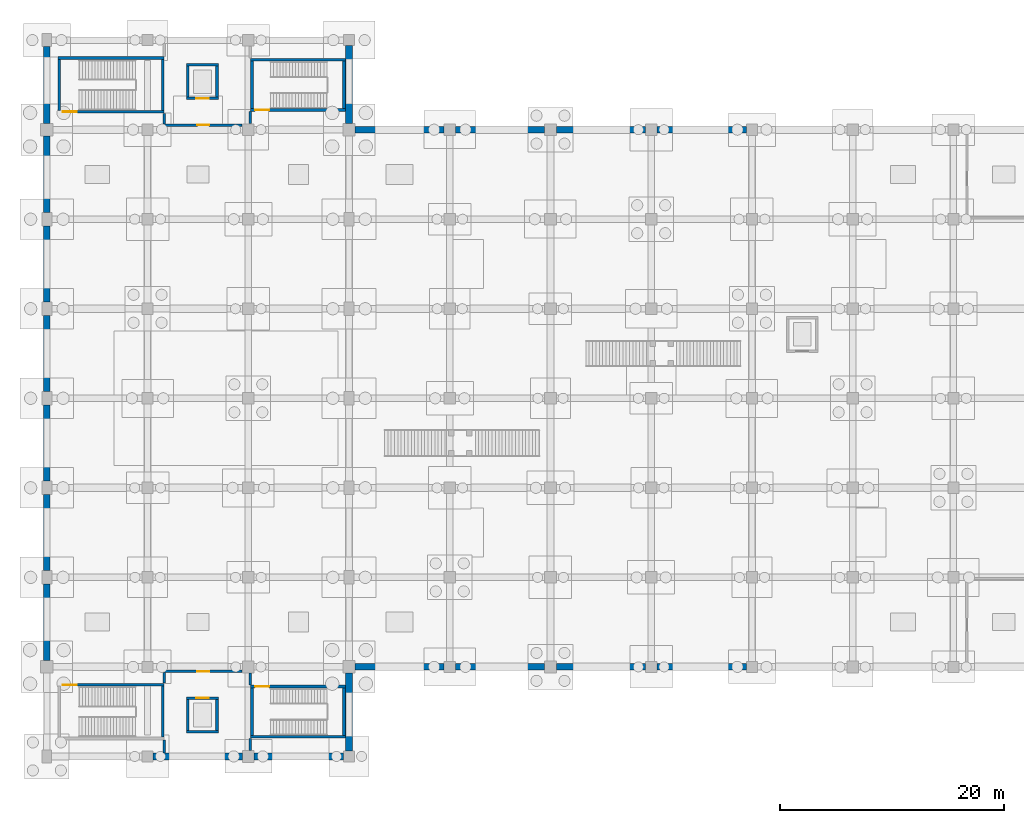
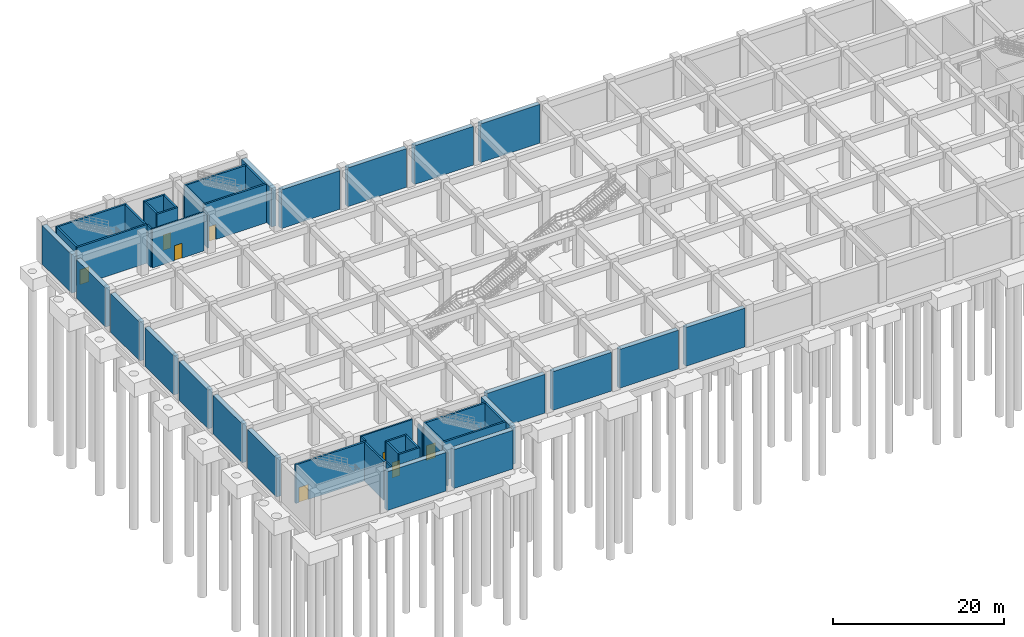
# One storey, part 9 of 18: 49 walls, 8 doors, 8 openings.
"""IFC4 building model written with IfcOpenShell, lengths in metres."""

from ifc_helpers import new_model, si_unit, derived_unit, direction, frame, frame_2d, origin, place, context, subcontext, project, spatial, rectangle, extrude, material, layer, layer_set, type_object, element, fill, save


model = new_model("IFC4")

# Units and contexts
model_context = context("Model", 3, precision=1e-05, world=origin(), true_north=direction((0.0, 1.0)))
body_context = subcontext(model_context, "Body", "Model", "MODEL_VIEW")
ifc_project = project(units=[si_unit("LENGTHUNIT", "METRE"), si_unit("AREAUNIT", "SQUARE_METRE"), si_unit("VOLUMEUNIT", "CUBIC_METRE"), si_unit("PLANEANGLEUNIT", "RADIAN"), si_unit("MASSUNIT", "GRAM", prefix="KILO"), derived_unit("THERMALTRANSMITTANCEUNIT", [(si_unit("MASSUNIT", "GRAM", prefix="KILO"), 1), (si_unit("TIMEUNIT", "SECOND"), -3), (si_unit("THERMODYNAMICTEMPERATUREUNIT", "KELVIN"), -1)])], contexts=[model_context])

# Site, building, storey
site_placement = place(None, origin())
site = spatial("IfcSite", under=ifc_project, at=site_placement, CompositionType="ELEMENT")
building_placement = place(site_placement, origin())
building = spatial("IfcBuilding", under=site, at=building_placement, Name="Zhenchuan Archway Interchange", CompositionType="ELEMENT")
storey_placement = place(building_placement, frame((0.0, 0.0, -12.0)))
storey = spatial("IfcBuildingStorey", under=building, at=storey_placement, Name="B2", CompositionType="ELEMENT", Elevation=-12.0)

# Walls
ifc_material_1 = material(Name="Concrete C40", Category="concrete")
ifc_layer_1 = layer(ifc_material_1, 0.60009765625)
ifc_layer_set_1 = layer_set([ifc_layer_1], Name="Concrete C40")
wall_type_1 = type_object("IfcWallType", Name="EW_DIAPH_600", PredefinedType="STANDARD", material=ifc_layer_set_1)
wall_1_placement = place(storey_placement, frame((36.0, 32.548095703125, 0.0), z_axis=(0.0, 0.0, 1.0), x_axis=(0.0, 1.0, 0.0)))
element("IfcWall", 1, at=wall_1_placement, inside=storey, type_object=wall_type_1, Name="Basement diaphragm wall B2-001", PredefinedType="STANDARD", context=body_context, shape_type="SweptSolid", body=[
    extrude(rectangle(XDim=6.85400390625, YDim=0.60009765625, at=frame_2d((3.427001953125, 0.0))), origin(), (0.0, 0.0, 1.0), 5.5400390625),
])
for number, where, z_axis, x_axis, name in (
    (2, (36.0, 40.597900390625, 0.0), (0.0, 0.0, 1.0), (0.0, 1.0, 0.0), "Basement diaphragm wall B2-002"),
    (3, (36.0, 48.597900390625, 0.0), (0.0, 0.0, 1.0), (0.0, 1.0, 0.0), "Basement diaphragm wall B2-003"),
    (4, (36.0, 56.597900390625, 0.0), (0.0, 0.0, 1.0), (0.0, 1.0, 0.0), "Basement diaphragm wall B2-004"),
    (5, (36.0, 64.597900390625, 0.0), (0.0, 0.0, 1.0), (0.0, 1.0, 0.0), "Basement diaphragm wall B2-005"),
):
    element("IfcWall", number, at=place(storey_placement, frame(where, z_axis=z_axis, x_axis=x_axis)), inside=storey, type_object=wall_type_1, Name=name, PredefinedType="STANDARD", context=body_context, shape_type="SweptSolid", body=[
        extrude(rectangle(XDim=6.80419921875, YDim=0.60009765625, at=frame_2d((3.402099609375, 0.0))), origin(), (0.0, 0.0, 1.0), 5.5400390625),
    ])
wall_2_placement = place(storey_placement, frame((36.0, 72.597900390625, 0.0), z_axis=(0.0, 0.0, 1.0), x_axis=(0.0, 1.0, 0.0)))
element("IfcWall", 6, at=wall_2_placement, inside=storey, type_object=wall_type_1, Name="Basement diaphragm wall B2-006", PredefinedType="STANDARD", context=body_context, shape_type="SweptSolid", body=[
    extrude(rectangle(XDim=6.85400390625, YDim=0.60009765625, at=frame_2d((3.427001953125, 0.0))), origin(), (0.0, 0.0, 1.0), 5.5400390625),
])
wall_3_placement = place(storey_placement, frame((36.0, 80.548095703125, 0.0), z_axis=(0.0, 0.0, 1.0), x_axis=(0.0, 1.0, 0.0)))
element("IfcWall", 7, at=wall_3_placement, inside=storey, type_object=wall_type_1, Name="Basement diaphragm wall B2-007", PredefinedType="STANDARD", context=body_context, shape_type="SweptSolid", body=[
    extrude(rectangle(XDim=6.87890625, YDim=0.60009765625, at=frame_2d((3.439453125, 0.0))), origin(), (0.0, 0.0, 1.0), 5.5400390625),
])
wall_4_placement = place(storey_placement, frame((63.0, 87.501953125, 0.0), z_axis=(0.0, 0.0, 1.0), x_axis=(0.0, -1.0, 0.0)))
element("IfcWall", 8, at=wall_4_placement, inside=storey, type_object=wall_type_1, Name="Basement diaphragm wall B2-011", PredefinedType="STANDARD", context=body_context, shape_type="SweptSolid", body=[
    extrude(rectangle(XDim=6.953857421875, YDim=0.60009765625, at=frame_2d((3.47705078125, 0.0))), origin(), (0.0, 0.0, 1.0), 5.5400390625),
])
wall_5_placement = place(storey_placement, frame((63.548095703125, 80.0, 0.0), z_axis=(0.0, 0.0, 1.0), x_axis=(1.0, 0.0, 0.0)))
element("IfcWall", 9, at=wall_5_placement, inside=storey, type_object=wall_type_1, Name="Basement diaphragm wall B2-012", PredefinedType="STANDARD", context=body_context, shape_type="SweptSolid", body=[
    extrude(rectangle(XDim=7.953857421875, YDim=0.60009765625, at=frame_2d((3.97705078125, 0.0))), origin(), (0.0, 0.0, 1.0), 5.5400390625),
])
for number, where, z_axis, x_axis, name in (
    (10, (72.498046875, 80.0, 0.0), (0.0, 0.0, 1.0), (1.0, 0.0, 0.0), "Basement diaphragm wall B2-013"),
    (11, (81.52294921875, 80.0, 0.0), (0.0, 0.0, 1.0), (1.0, 0.0, 0.0), "Basement diaphragm wall B2-014"),
):
    element("IfcWall", number, at=place(storey_placement, frame(where, z_axis=z_axis, x_axis=x_axis)), inside=storey, type_object=wall_type_1, Name=name, PredefinedType="STANDARD", context=body_context, shape_type="SweptSolid", body=[
        extrude(rectangle(XDim=7.97900390625, YDim=0.60009765625, at=frame_2d((3.989501953125, 0.0))), origin(), (0.0, 0.0, 1.0), 5.5400390625),
    ])
for number, where, z_axis, x_axis, name in (
    (12, (90.498046875, 80.0, 0.0), (0.0, 0.0, 1.0), (1.0, 0.0, 0.0), "Basement diaphragm wall B2-015"),
    (13, (98.501953125, 32.0, 0.0), (0.0, 0.0, 1.0), (-1.0, 0.0, 0.0), "Basement diaphragm wall B2-038"),
):
    element("IfcWall", number, at=place(storey_placement, frame(where, z_axis=z_axis, x_axis=x_axis)), inside=storey, type_object=wall_type_1, Name=name, PredefinedType="STANDARD", context=body_context, shape_type="SweptSolid", body=[
        extrude(rectangle(XDim=8.00390625, YDim=0.60009765625, at=frame_2d((4.001953125, 0.0))), origin(), (0.0, 0.0, 1.0), 5.5400390625),
    ])
for number, where, z_axis, x_axis, name in (
    (14, (89.501953125, 32.0, 0.0), (0.0, 0.0, 1.0), (-1.0, 0.0, 0.0), "Basement diaphragm wall B2-039"),
    (15, (80.47705078125, 32.0, 0.0), (0.0, 0.0, 1.0), (-1.0, 0.0, 0.0), "Basement diaphragm wall B2-040"),
):
    element("IfcWall", number, at=place(storey_placement, frame(where, z_axis=z_axis, x_axis=x_axis)), inside=storey, type_object=wall_type_1, Name=name, PredefinedType="STANDARD", context=body_context, shape_type="SweptSolid", body=[
        extrude(rectangle(XDim=7.97900390625, YDim=0.60009765625, at=frame_2d((3.989501953125, 0.0))), origin(), (0.0, 0.0, 1.0), 5.5400390625),
    ])
wall_6_placement = place(storey_placement, frame((71.501953125, 32.0, 0.0), z_axis=(0.0, 0.0, 1.0), x_axis=(-1.0, 0.0, 0.0)))
element("IfcWall", 16, at=wall_6_placement, inside=storey, type_object=wall_type_1, Name="Basement diaphragm wall B2-041", PredefinedType="STANDARD", context=body_context, shape_type="SweptSolid", body=[
    extrude(rectangle(XDim=7.953857421875, YDim=0.60009765625, at=frame_2d((3.97705078125, 0.0))), origin(), (0.0, 0.0, 1.0), 5.5400390625),
])
wall_7_placement = place(storey_placement, frame((63.0, 31.451904296875, 0.0), z_axis=(0.0, 0.0, 1.0), x_axis=(0.0, -1.0, 0.0)))
element("IfcWall", 17, at=wall_7_placement, inside=storey, type_object=wall_type_1, Name="Basement diaphragm wall B2-042", PredefinedType="STANDARD", context=body_context, shape_type="SweptSolid", body=[
    extrude(rectangle(XDim=6.953857421875, YDim=0.60009765625, at=frame_2d((3.47705078125, 0.0))), origin(), (0.0, 0.0, 1.0), 5.5400390625),
])
for number, where, z_axis, x_axis, name in (
    (18, (62.501953125, 24.0, 0.0), (0.0, 0.0, 1.0), (-1.0, 0.0, 0.0), "Basement diaphragm wall B2-043"),
    (19, (53.47705078125, 24.0, 0.0), (0.0, 0.0, 1.0), (-1.0, 0.0, 0.0), "Basement diaphragm wall B2-044"),
):
    element("IfcWall", number, at=place(storey_placement, frame(where, z_axis=z_axis, x_axis=x_axis)), inside=storey, type_object=wall_type_1, Name=name, PredefinedType="STANDARD", context=body_context, shape_type="SweptSolid", body=[
        extrude(rectangle(XDim=7.97900390625, YDim=0.60009765625, at=frame_2d((3.989501953125, 0.0))), origin(), (0.0, 0.0, 1.0), 5.5400390625),
    ])

# Wall, opening, door
ifc_material_2 = material(Name="Autoclaved Aerated Concrete Block", Category="concrete")
ifc_layer_2 = layer(ifc_material_2, 0.199951171875)
ifc_layer_set_2 = layer_set([ifc_layer_2], Name="Autoclaved Aerated Concrete Block")
wall_type_2 = type_object("IfcWallType", Name="WL_FIRE_200", PredefinedType="STANDARD", material=ifc_layer_set_2)
wall_8_placement = place(storey_placement, frame((46.489990234375, 31.60009765625, 0.0), z_axis=(0.0, 0.0, 1.0), x_axis=(1.0, 0.0, 0.0)))
wall_8 = element("IfcWall", 20, at=wall_8_placement, inside=storey, type_object=wall_type_2, Name="South Tunnel Ventilation Plant Room N partition (B2)", PredefinedType="STANDARD", context=body_context, shape_type="SweptSolid", body=[
    extrude(rectangle(XDim=6.9599609375, YDim=0.199951171875, at=frame_2d((3.47998046875, 0.0))), origin(), (0.0, 0.0, 1.0), 5.530029296875),
])
opening_1_placement = place(wall_8_placement, frame((2.955078125, 0.0, 0.0)))
opening_1 = element("IfcOpeningElement", 21, at=opening_1_placement, cuts=wall_8, Name="Opening FD-03", PredefinedType="OPENING", context=body_context, shape_type="SweptSolid", body=[
    extrude(rectangle(XDim=1.050048828125, YDim=2.14990234375, at=frame_2d((0.52490234375, 1.074951171875))), frame((0.0, 0.11181640625, 0.0), z_axis=(0.0, -1.0, 0.0), x_axis=(1.0, 0.0, 0.0)), (0.0, 0.0, 1.0), 0.223876953125),
])
ifc_material_3 = material(Name="Painted Galvanised Steel", Category="steel")
door_type_1 = type_object("IfcDoorType", Name="DR_PLANT_FD60_S", OperationType="NOTDEFINED", PredefinedType="DOOR", material=ifc_material_3)
door_1_placement = place(opening_1_placement, origin())
door_1 = element("IfcDoor", 22, at=door_1_placement, inside=storey, type_object=door_type_1, Name="South Tunnel Ventilation Plant Room door (B2)", OperationType="SINGLE_SWING_RIGHT", OverallHeight=2.14990234375, OverallWidth=1.050048828125, PredefinedType="DOOR", context=body_context, shape_type="SweptSolid", body=[
    extrude(rectangle(XDim=1.050048828125, YDim=2.14990234375, at=frame_2d((0.52490234375, 1.074951171875))), frame((0.0, 0.02490234375, 0.0), z_axis=(0.0, -1.0, 0.0), x_axis=(1.0, 0.0, 0.0)), (0.0, 0.0, 1.0), 0.050048828125),
])
fill(opening_1, door_1)

# Walls
wall_9_placement = place(storey_placement, frame((46.489990234375, 24.31005859375, 0.0), z_axis=(0.0, 0.0, 1.0), x_axis=(0.0, 1.0, 0.0)))
element("IfcWall", 23, at=wall_9_placement, inside=storey, type_object=wall_type_2, Name="South Tunnel Ventilation Plant Room W partition (B2)", PredefinedType="STANDARD", context=body_context, shape_type="SweptSolid", body=[
    extrude(rectangle(XDim=1.14501953125, YDim=0.199951171875, at=frame_2d((0.572509765625, 0.0))), origin(), (0.0, 0.0, 1.0), 5.530029296875),
])
wall_10_placement = place(storey_placement, frame((46.489990234375, 30.544921875, 0.0), z_axis=(0.0, 0.0, 1.0), x_axis=(0.0, 1.0, 0.0)))
element("IfcWall", 24, at=wall_10_placement, inside=storey, type_object=wall_type_2, Name="South Tunnel Ventilation Plant Room W partition (B2)", PredefinedType="STANDARD", context=body_context, shape_type="SweptSolid", body=[
    extrude(rectangle(XDim=0.945068359375, YDim=0.199951171875, at=frame_2d((0.47265625, 0.0))), origin(), (0.0, 0.0, 1.0), 5.530029296875),
])
for number, where, z_axis, x_axis, name in (
    (25, (54.179931640625, 24.550048828125, 0.0), (0.0, 0.0, 1.0), (0.0, 1.0, 0.0), "South Tunnel Ventilation Plant Room E partition (B2)"),
    (26, (54.179931640625, 30.39501953125, 0.0), (0.0, 0.0, 1.0), (0.0, 1.0, 0.0), "South Tunnel Ventilation Plant Room E partition (B2)"),
):
    element("IfcWall", number, at=place(storey_placement, frame(where, z_axis=z_axis, x_axis=x_axis)), inside=storey, type_object=wall_type_2, Name=name, PredefinedType="STANDARD", context=body_context, shape_type="SweptSolid", body=[
        extrude(rectangle(XDim=1.054931640625, YDim=0.199951171875, at=frame_2d((0.52734375, 0.0))), origin(), (0.0, 0.0, 1.0), 4.7099609375),
    ])

# Wall, opening, door
wall_11_placement = place(storey_placement, frame((46.489990234375, 80.39990234375, 0.0), z_axis=(0.0, 0.0, 1.0), x_axis=(1.0, 0.0, 0.0)))
wall_11 = element("IfcWall", 27, at=wall_11_placement, inside=storey, type_object=wall_type_2, Name="North Tunnel Ventilation Plant Room S partition (B2)", PredefinedType="STANDARD", context=body_context, shape_type="SweptSolid", body=[
    extrude(rectangle(XDim=6.9599609375, YDim=0.199951171875, at=frame_2d((3.47998046875, 0.0))), origin(), (0.0, 0.0, 1.0), 5.530029296875),
])
opening_2_placement = place(wall_11_placement, frame((2.955078125, 0.0, 0.0)))
opening_2 = element("IfcOpeningElement", 28, at=opening_2_placement, cuts=wall_11, Name="Opening FD-03", PredefinedType="OPENING", context=body_context, shape_type="SweptSolid", body=[
    extrude(rectangle(XDim=1.050048828125, YDim=2.14990234375, at=frame_2d((0.52490234375, 1.074951171875))), frame((0.0, 0.11181640625, 0.0), z_axis=(0.0, -1.0, 0.0), x_axis=(1.0, 0.0, 0.0)), (0.0, 0.0, 1.0), 0.223876953125),
])
door_2_placement = place(opening_2_placement, origin())
door_2 = element("IfcDoor", 29, at=door_2_placement, inside=storey, type_object=door_type_1, Name="North Tunnel Ventilation Plant Room door (B2)", OperationType="SINGLE_SWING_LEFT", OverallHeight=2.14990234375, OverallWidth=1.050048828125, PredefinedType="DOOR", context=body_context, shape_type="SweptSolid", body=[
    extrude(rectangle(XDim=1.050048828125, YDim=2.14990234375, at=frame_2d((0.52490234375, 1.074951171875))), frame((0.0, 0.02490234375, 0.0), z_axis=(0.0, -1.0, 0.0), x_axis=(1.0, 0.0, 0.0)), (0.0, 0.0, 1.0), 0.050048828125),
])
fill(opening_2, door_2)

# Walls
wall_12_placement = place(storey_placement, frame((46.489990234375, 80.510009765625, 0.0), z_axis=(0.0, 0.0, 1.0), x_axis=(0.0, 1.0, 0.0)))
element("IfcWall", 30, at=wall_12_placement, inside=storey, type_object=wall_type_2, Name="North Tunnel Ventilation Plant Room W partition (B2)", PredefinedType="STANDARD", context=body_context, shape_type="SweptSolid", body=[
    extrude(rectangle(XDim=0.945068359375, YDim=0.199951171875, at=frame_2d((0.47265625, 0.0))), origin(), (0.0, 0.0, 1.0), 5.530029296875),
])
wall_13_placement = place(storey_placement, frame((54.179931640625, 80.550048828125, 0.0), z_axis=(0.0, 0.0, 1.0), x_axis=(0.0, 1.0, 0.0)))
element("IfcWall", 31, at=wall_13_placement, inside=storey, type_object=wall_type_2, Name="North Tunnel Ventilation Plant Room E partition (B2)", PredefinedType="STANDARD", context=body_context, shape_type="SweptSolid", body=[
    extrude(rectangle(XDim=1.054931640625, YDim=0.199951171875, at=frame_2d((0.52734375, 0.0))), origin(), (0.0, 0.0, 1.0), 4.7099609375),
])
ifc_layer_3 = layer(ifc_material_1, 0.239990234375)
ifc_layer_set_3 = layer_set([ifc_layer_3], Name="Concrete C40")
wall_type_3 = type_object("IfcWallType", Name="WL_LIFT_240", PredefinedType="SHEAR", material=ifc_layer_set_3)
wall_14_placement = place(storey_placement, frame((48.47998046875, 26.199951171875, 0.0), z_axis=(0.0, 0.0, 1.0), x_axis=(1.0, 0.0, 0.0)))
element("IfcWall", 32, at=wall_14_placement, inside=storey, type_object=wall_type_3, Name="Lift LF-01 south shaft wall (B2)", PredefinedType="SHEAR", context=body_context, shape_type="SweptSolid", body=[
    extrude(rectangle(XDim=2.840087890625, YDim=0.239990234375, at=frame_2d((1.419921875, 0.0))), origin(), (0.0, 0.0, 1.0), 5.530029296875),
])

# Wall, opening, door
wall_15_placement = place(storey_placement, frame((51.320068359375, 29.199951171875, 0.0), z_axis=(0.0, 0.0, 1.0), x_axis=(-1.0, 0.0, 0.0)))
wall_15 = element("IfcWall", 33, at=wall_15_placement, inside=storey, type_object=wall_type_3, Name="Lift LF-01 north shaft wall (B2)", PredefinedType="SHEAR", context=body_context, shape_type="SweptSolid", body=[
    extrude(rectangle(XDim=2.840087890625, YDim=0.239990234375, at=frame_2d((1.419921875, 0.0))), origin(), (0.0, 0.0, 1.0), 5.530029296875),
])
opening_3_placement = place(wall_15_placement, frame((0.8701171875, 0.0, 0.0)))
opening_3 = element("IfcOpeningElement", 34, at=opening_3_placement, cuts=wall_15, Name="Opening LD-01", PredefinedType="OPENING", context=body_context, shape_type="SweptSolid", body=[
    extrude(rectangle(XDim=1.10009765625, YDim=2.199951171875, at=frame_2d((0.550048828125, 1.10009765625))), frame((0.0, 0.1318359375, 0.0), z_axis=(0.0, -1.0, 0.0), x_axis=(1.0, 0.0, 0.0)), (0.0, 0.0, 1.0), 0.263916015625),
])
ifc_material_4 = material(Name="Stainless Steel 304", Category="steel")
door_type_2 = type_object("IfcDoorType", Name="DR_LIFT_LD110", OperationType="DOUBLE_DOOR_SLIDING", PredefinedType="DOOR", material=ifc_material_4)
door_3_placement = place(opening_3_placement, origin())
door_3 = element("IfcDoor", 35, at=door_3_placement, inside=storey, type_object=door_type_2, Name="Lift LF-01 landing door (B2)", OperationType="DOUBLE_DOOR_SLIDING", OverallHeight=2.199951171875, OverallWidth=1.10009765625, PredefinedType="DOOR", context=body_context, shape_type="SweptSolid", body=[
    extrude(rectangle(XDim=1.10009765625, YDim=2.199951171875, at=frame_2d((0.550048828125, 1.10009765625))), frame((0.0, 0.02490234375, 0.0), z_axis=(0.0, -1.0, 0.0), x_axis=(1.0, 0.0, 0.0)), (0.0, 0.0, 1.0), 0.050048828125),
])
fill(opening_3, door_3)

# Walls
for number, where, z_axis, x_axis, name in (
    (36, (48.60009765625, 29.080078125, 0.0), (0.0, 0.0, 1.0), (0.0, -1.0, 0.0), "Lift LF-01 west shaft wall (B2)"),
    (37, (51.199951171875, 26.320068359375, 0.0), (0.0, 0.0, 1.0), (0.0, 1.0, 0.0), "Lift LF-01 east shaft wall (B2)"),
):
    element("IfcWall", number, at=place(storey_placement, frame(where, z_axis=z_axis, x_axis=x_axis)), inside=storey, type_object=wall_type_3, Name=name, PredefinedType="SHEAR", context=body_context, shape_type="SweptSolid", body=[
        extrude(rectangle(XDim=2.760009765625, YDim=0.239990234375, at=frame_2d((1.3798828125, 0.0))), origin(), (0.0, 0.0, 1.0), 5.530029296875),
    ])

# Wall, opening, door
wall_16_placement = place(storey_placement, frame((48.47998046875, 82.800048828125, 0.0), z_axis=(0.0, 0.0, 1.0), x_axis=(1.0, 0.0, 0.0)))
wall_16 = element("IfcWall", 38, at=wall_16_placement, inside=storey, type_object=wall_type_3, Name="Lift LF-02 south shaft wall (B2)", PredefinedType="SHEAR", context=body_context, shape_type="SweptSolid", body=[
    extrude(rectangle(XDim=2.840087890625, YDim=0.239990234375, at=frame_2d((1.419921875, 0.0))), origin(), (0.0, 0.0, 1.0), 5.530029296875),
])
opening_4_placement = place(wall_16_placement, frame((0.8701171875, 0.0, 0.0)))
opening_4 = element("IfcOpeningElement", 39, at=opening_4_placement, cuts=wall_16, Name="Opening LD-01", PredefinedType="OPENING", context=body_context, shape_type="SweptSolid", body=[
    extrude(rectangle(XDim=1.10009765625, YDim=2.199951171875, at=frame_2d((0.550048828125, 1.10009765625))), frame((0.0, 0.1318359375, 0.0), z_axis=(0.0, -1.0, 0.0), x_axis=(1.0, 0.0, 0.0)), (0.0, 0.0, 1.0), 0.263916015625),
])
door_4_placement = place(opening_4_placement, origin())
door_4 = element("IfcDoor", 40, at=door_4_placement, inside=storey, type_object=door_type_2, Name="Lift LF-02 landing door (B2)", OperationType="DOUBLE_DOOR_SLIDING", OverallHeight=2.199951171875, OverallWidth=1.10009765625, PredefinedType="DOOR", context=body_context, shape_type="SweptSolid", body=[
    extrude(rectangle(XDim=1.10009765625, YDim=2.199951171875, at=frame_2d((0.550048828125, 1.10009765625))), frame((0.0, 0.02490234375, 0.0), z_axis=(0.0, -1.0, 0.0), x_axis=(1.0, 0.0, 0.0)), (0.0, 0.0, 1.0), 0.050048828125),
])
fill(opening_4, door_4)

# Walls
wall_17_placement = place(storey_placement, frame((51.320068359375, 85.800048828125, 0.0), z_axis=(0.0, 0.0, 1.0), x_axis=(-1.0, 0.0, 0.0)))
element("IfcWall", 41, at=wall_17_placement, inside=storey, type_object=wall_type_3, Name="Lift LF-02 north shaft wall (B2)", PredefinedType="SHEAR", context=body_context, shape_type="SweptSolid", body=[
    extrude(rectangle(XDim=2.840087890625, YDim=0.239990234375, at=frame_2d((1.419921875, 0.0))), origin(), (0.0, 0.0, 1.0), 5.530029296875),
])
for number, where, z_axis, x_axis, name in (
    (42, (48.60009765625, 85.679931640625, 0.0), (0.0, 0.0, 1.0), (0.0, -1.0, 0.0), "Lift LF-02 west shaft wall (B2)"),
    (43, (51.199951171875, 82.919921875, 0.0), (0.0, 0.0, 1.0), (0.0, 1.0, 0.0), "Lift LF-02 east shaft wall (B2)"),
):
    element("IfcWall", number, at=place(storey_placement, frame(where, z_axis=z_axis, x_axis=x_axis)), inside=storey, type_object=wall_type_3, Name=name, PredefinedType="SHEAR", context=body_context, shape_type="SweptSolid", body=[
        extrude(rectangle(XDim=2.760009765625, YDim=0.239990234375, at=frame_2d((1.3798828125, 0.0))), origin(), (0.0, 0.0, 1.0), 5.530029296875),
    ])

# Wall, opening, door
ifc_layer_4 = layer(ifc_material_1, 0.25)
ifc_layer_set_4 = layer_set([ifc_layer_4], Name="Concrete C40")
wall_type_4 = type_object("IfcWallType", Name="WL_STAIR_250", PredefinedType="SHEAR", material=ifc_layer_set_4)
wall_18_placement = place(storey_placement, frame((46.47509765625, 30.39990234375, 0.0), z_axis=(0.0, 0.0, 1.0), x_axis=(-1.0, 0.0, 0.0)))
wall_18 = element("IfcWall", 44, at=wall_18_placement, inside=storey, type_object=wall_type_4, Name="Stair ST-M1 north wall (B2)", PredefinedType="SHEAR", context=body_context, shape_type="SweptSolid", body=[
    extrude(rectangle(XDim=9.5, YDim=0.25, at=frame_2d((4.75, 0.0))), origin(), (0.0, 0.0, 1.0), 5.530029296875),
])
opening_5_placement = place(wall_18_placement, frame((7.804931640625, 0.0, 0.0)))
opening_5 = element("IfcOpeningElement", 45, at=opening_5_placement, cuts=wall_18, Name="Opening FD-01", PredefinedType="OPENING", context=body_context, shape_type="SweptSolid", body=[
    extrude(rectangle(XDim=1.25, YDim=2.14990234375, at=frame_2d((0.625, 1.074951171875))), frame((0.0, 0.136962890625, 0.0), z_axis=(0.0, -1.0, 0.0), x_axis=(1.0, 0.0, 0.0)), (0.0, 0.0, 1.0), 0.27392578125),
])
door_type_3 = type_object("IfcDoorType", Name="DR_STAIR_FD90", OperationType="NOTDEFINED", PredefinedType="DOOR", material=ifc_material_3)
door_5_placement = place(opening_5_placement, origin())
door_5 = element("IfcDoor", 46, at=door_5_placement, inside=storey, type_object=door_type_3, Name="Stair ST-M1 fire door (B2)", OperationType="SINGLE_SWING_LEFT", OverallHeight=2.14990234375, OverallWidth=1.25, PredefinedType="DOOR", context=body_context, shape_type="SweptSolid", body=[
    extrude(rectangle(XDim=1.25, YDim=2.14990234375, at=frame_2d((0.625, 1.074951171875))), frame((0.0, 0.02490234375, 0.0), z_axis=(0.0, -1.0, 0.0), x_axis=(1.0, 0.0, 0.0)), (0.0, 0.0, 1.0), 0.050048828125),
])
fill(opening_5, door_5)

# Wall
wall_19_placement = place(storey_placement, frame((46.35009765625, 25.72509765625, 0.0), z_axis=(0.0, 0.0, 1.0), x_axis=(0.0, 1.0, 0.0)))
element("IfcWall", 47, at=wall_19_placement, inside=storey, type_object=wall_type_4, Name="Stair ST-M1 east wall (B2)", PredefinedType="SHEAR", context=body_context, shape_type="SweptSolid", body=[
    extrude(rectangle(XDim=4.5498046875, YDim=0.25, at=frame_2d((2.27490234375, 0.0))), origin(), (0.0, 0.0, 1.0), 5.530029296875),
])

# Wall, opening, door
wall_20_placement = place(storey_placement, frame((36.97509765625, 81.60009765625, 0.0), z_axis=(0.0, 0.0, 1.0), x_axis=(1.0, 0.0, 0.0)))
wall_20 = element("IfcWall", 48, at=wall_20_placement, inside=storey, type_object=wall_type_4, Name="Stair ST-M2 south wall (B2)", PredefinedType="SHEAR", context=body_context, shape_type="SweptSolid", body=[
    extrude(rectangle(XDim=9.5, YDim=0.25, at=frame_2d((4.75, 0.0))), origin(), (0.0, 0.0, 1.0), 5.530029296875),
])
opening_6_placement = place(wall_20_placement, frame((0.445068359375, 0.0, 0.0)))
opening_6 = element("IfcOpeningElement", 49, at=opening_6_placement, cuts=wall_20, Name="Opening FD-01", PredefinedType="OPENING", context=body_context, shape_type="SweptSolid", body=[
    extrude(rectangle(XDim=1.25, YDim=2.14990234375, at=frame_2d((0.625, 1.074951171875))), frame((0.0, 0.136962890625, 0.0), z_axis=(0.0, -1.0, 0.0), x_axis=(1.0, 0.0, 0.0)), (0.0, 0.0, 1.0), 0.27392578125),
])
door_6_placement = place(opening_6_placement, origin())
door_6 = element("IfcDoor", 50, at=door_6_placement, inside=storey, type_object=door_type_3, Name="Stair ST-M2 fire door (B2)", OperationType="SINGLE_SWING_RIGHT", OverallHeight=2.14990234375, OverallWidth=1.25, PredefinedType="DOOR", context=body_context, shape_type="SweptSolid", body=[
    extrude(rectangle(XDim=1.25, YDim=2.14990234375, at=frame_2d((0.625, 1.074951171875))), frame((0.0, 0.02490234375, 0.0), z_axis=(0.0, -1.0, 0.0), x_axis=(1.0, 0.0, 0.0)), (0.0, 0.0, 1.0), 0.050048828125),
])
fill(opening_6, door_6)

# Walls
wall_21_placement = place(storey_placement, frame((46.47509765625, 86.39990234375, 0.0), z_axis=(0.0, 0.0, 1.0), x_axis=(-1.0, 0.0, 0.0)))
element("IfcWall", 51, at=wall_21_placement, inside=storey, type_object=wall_type_4, Name="Stair ST-M2 north wall (B2)", PredefinedType="SHEAR", context=body_context, shape_type="SweptSolid", body=[
    extrude(rectangle(XDim=9.5, YDim=0.25, at=frame_2d((4.75, 0.0))), origin(), (0.0, 0.0, 1.0), 5.530029296875),
])
for number, where, z_axis, x_axis, name in (
    (52, (37.10009765625, 86.27490234375, 0.0), (0.0, 0.0, 1.0), (0.0, -1.0, 0.0), "Stair ST-M2 west wall (B2)"),
    (53, (46.35009765625, 81.72509765625, 0.0), (0.0, 0.0, 1.0), (0.0, 1.0, 0.0), "Stair ST-M2 east wall (B2)"),
):
    element("IfcWall", number, at=place(storey_placement, frame(where, z_axis=z_axis, x_axis=x_axis)), inside=storey, type_object=wall_type_4, Name=name, PredefinedType="SHEAR", context=body_context, shape_type="SweptSolid", body=[
        extrude(rectangle(XDim=4.5498046875, YDim=0.25, at=frame_2d((2.27490234375, 0.0))), origin(), (0.0, 0.0, 1.0), 5.530029296875),
    ])
wall_22_placement = place(storey_placement, frame((54.195068359375, 25.75, 0.0), z_axis=(0.0, 0.0, 1.0), x_axis=(1.0, 0.0, 0.0)))
element("IfcWall", 54, at=wall_22_placement, inside=storey, type_object=wall_type_4, Name="Stair ST-M3 south wall (B2)", PredefinedType="SHEAR", context=body_context, shape_type="SweptSolid", body=[
    extrude(rectangle(XDim=8.489990234375, YDim=0.25, at=frame_2d((4.2451171875, 0.0))), origin(), (0.0, 0.0, 1.0), 5.530029296875),
])

# Wall, opening, door
wall_23_placement = place(storey_placement, frame((62.68505859375, 30.25, 0.0), z_axis=(0.0, 0.0, 1.0), x_axis=(-1.0, 0.0, 0.0)))
wall_23 = element("IfcWall", 55, at=wall_23_placement, inside=storey, type_object=wall_type_4, Name="Stair ST-M3 north wall (B2)", PredefinedType="SHEAR", context=body_context, shape_type="SweptSolid", body=[
    extrude(rectangle(XDim=8.489990234375, YDim=0.25, at=frame_2d((4.2451171875, 0.0))), origin(), (0.0, 0.0, 1.0), 5.530029296875),
])
opening_7_placement = place(wall_23_placement, frame((6.8349609375, 0.0, 0.0)))
opening_7 = element("IfcOpeningElement", 56, at=opening_7_placement, cuts=wall_23, Name="Opening FD-01", PredefinedType="OPENING", context=body_context, shape_type="SweptSolid", body=[
    extrude(rectangle(XDim=1.25, YDim=2.14990234375, at=frame_2d((0.625, 1.074951171875))), frame((0.0, 0.136962890625, 0.0), z_axis=(0.0, -1.0, 0.0), x_axis=(1.0, 0.0, 0.0)), (0.0, 0.0, 1.0), 0.27392578125),
])
door_7_placement = place(opening_7_placement, origin())
door_7 = element("IfcDoor", 57, at=door_7_placement, inside=storey, type_object=door_type_3, Name="Stair ST-M3 fire door (B2)", OperationType="SINGLE_SWING_LEFT", OverallHeight=2.14990234375, OverallWidth=1.25, PredefinedType="DOOR", context=body_context, shape_type="SweptSolid", body=[
    extrude(rectangle(XDim=1.25, YDim=2.14990234375, at=frame_2d((0.625, 1.074951171875))), frame((0.0, 0.02490234375, 0.0), z_axis=(0.0, -1.0, 0.0), x_axis=(1.0, 0.0, 0.0)), (0.0, 0.0, 1.0), 0.050048828125),
])
fill(opening_7, door_7)

# Walls
for number, where, z_axis, x_axis, name in (
    (58, (54.320068359375, 30.125, 0.0), (0.0, 0.0, 1.0), (0.0, -1.0, 0.0), "Stair ST-M3 west wall (B2)"),
    (59, (62.56005859375, 25.875, 0.0), (0.0, 0.0, 1.0), (0.0, 1.0, 0.0), "Stair ST-M3 east wall (B2)"),
):
    element("IfcWall", number, at=place(storey_placement, frame(where, z_axis=z_axis, x_axis=x_axis)), inside=storey, type_object=wall_type_4, Name=name, PredefinedType="SHEAR", context=body_context, shape_type="SweptSolid", body=[
        extrude(rectangle(XDim=4.25, YDim=0.25, at=frame_2d((2.125, 0.0))), origin(), (0.0, 0.0, 1.0), 5.530029296875),
    ])

# Wall, opening, door
wall_24_placement = place(storey_placement, frame((54.195068359375, 81.75, 0.0), z_axis=(0.0, 0.0, 1.0), x_axis=(1.0, 0.0, 0.0)))
wall_24 = element("IfcWall", 60, at=wall_24_placement, inside=storey, type_object=wall_type_4, Name="Stair ST-M4 south wall (B2)", PredefinedType="SHEAR", context=body_context, shape_type="SweptSolid", body=[
    extrude(rectangle(XDim=8.489990234375, YDim=0.25, at=frame_2d((4.2451171875, 0.0))), origin(), (0.0, 0.0, 1.0), 5.530029296875),
])
opening_8_placement = place(wall_24_placement, frame((0.405029296875, 0.0, 0.0)))
opening_8 = element("IfcOpeningElement", 61, at=opening_8_placement, cuts=wall_24, Name="Opening FD-01", PredefinedType="OPENING", context=body_context, shape_type="SweptSolid", body=[
    extrude(rectangle(XDim=1.25, YDim=2.14990234375, at=frame_2d((0.625, 1.074951171875))), frame((0.0, 0.136962890625, 0.0), z_axis=(0.0, -1.0, 0.0), x_axis=(1.0, 0.0, 0.0)), (0.0, 0.0, 1.0), 0.27392578125),
])
door_8_placement = place(opening_8_placement, origin())
door_8 = element("IfcDoor", 62, at=door_8_placement, inside=storey, type_object=door_type_3, Name="Stair ST-M4 fire door (B2)", OperationType="SINGLE_SWING_RIGHT", OverallHeight=2.14990234375, OverallWidth=1.25, PredefinedType="DOOR", context=body_context, shape_type="SweptSolid", body=[
    extrude(rectangle(XDim=1.25, YDim=2.14990234375, at=frame_2d((0.625, 1.074951171875))), frame((0.0, 0.02490234375, 0.0), z_axis=(0.0, -1.0, 0.0), x_axis=(1.0, 0.0, 0.0)), (0.0, 0.0, 1.0), 0.050048828125),
])
fill(opening_8, door_8)

# Walls
wall_25_placement = place(storey_placement, frame((62.68505859375, 86.25, 0.0), z_axis=(0.0, 0.0, 1.0), x_axis=(-1.0, 0.0, 0.0)))
element("IfcWall", 63, at=wall_25_placement, inside=storey, type_object=wall_type_4, Name="Stair ST-M4 north wall (B2)", PredefinedType="SHEAR", context=body_context, shape_type="SweptSolid", body=[
    extrude(rectangle(XDim=8.489990234375, YDim=0.25, at=frame_2d((4.2451171875, 0.0))), origin(), (0.0, 0.0, 1.0), 5.530029296875),
])
for number, where, z_axis, x_axis, name in (
    (64, (54.320068359375, 86.125, 0.0), (0.0, 0.0, 1.0), (0.0, -1.0, 0.0), "Stair ST-M4 west wall (B2)"),
    (65, (62.56005859375, 81.875, 0.0), (0.0, 0.0, 1.0), (0.0, 1.0, 0.0), "Stair ST-M4 east wall (B2)"),
):
    element("IfcWall", number, at=place(storey_placement, frame(where, z_axis=z_axis, x_axis=x_axis)), inside=storey, type_object=wall_type_4, Name=name, PredefinedType="SHEAR", context=body_context, shape_type="SweptSolid", body=[
        extrude(rectangle(XDim=4.25, YDim=0.25, at=frame_2d((2.125, 0.0))), origin(), (0.0, 0.0, 1.0), 5.530029296875),
    ])

save(model, "model.ifc")
